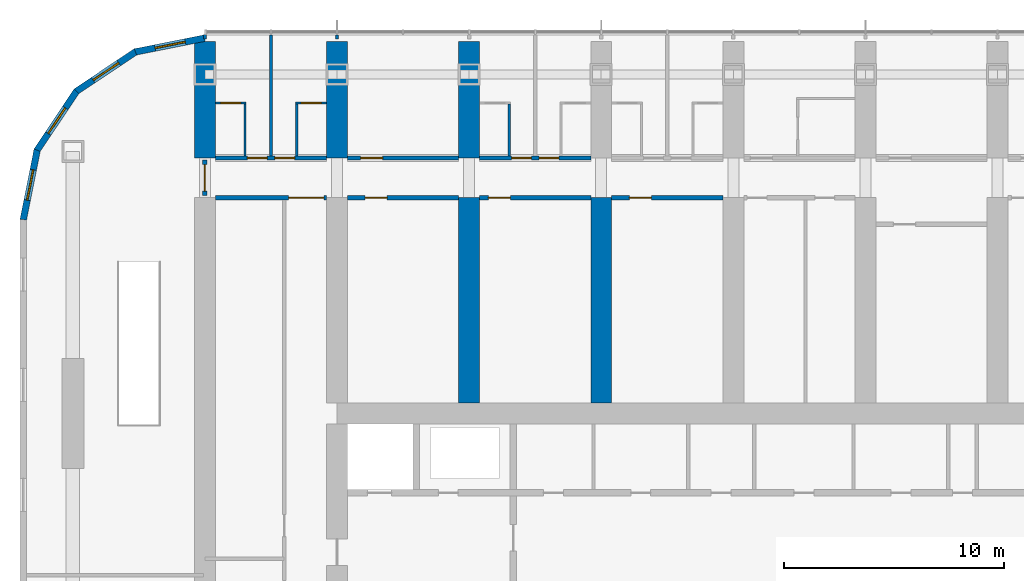
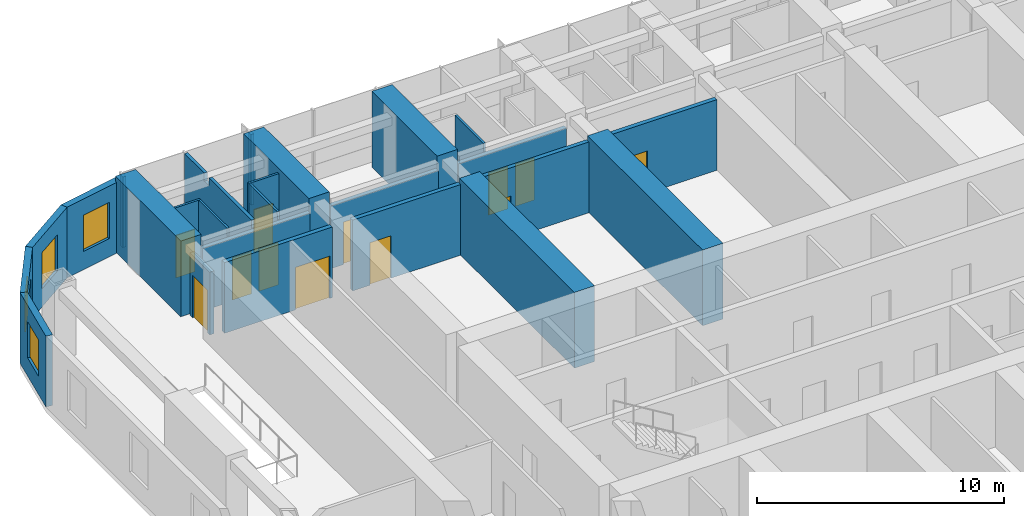
# One storey, part 13 of 21: 25 walls, 12 doors, 4 windows, 16 openings.
"""IFC4 building model written with IfcOpenShell, lengths in metres."""

from ifc_helpers import new_model, si_unit, direction, frame, frame_2d, origin, place, context, subcontext, project, spatial, polyline, rectangle, outline, extrude, material, layer, layer_set, type_object, element, fill, save


model = new_model("IFC4")

# Units and contexts
model_context = context("Model", 3, precision=1e-05, world=origin(), true_north=direction((0.0, 1.0)))
body_context = subcontext(model_context, "Body", "Model", "MODEL_VIEW")
ifc_project = project(units=[si_unit("LENGTHUNIT", "METRE"), si_unit("AREAUNIT", "SQUARE_METRE"), si_unit("VOLUMEUNIT", "CUBIC_METRE"), si_unit("PLANEANGLEUNIT", "RADIAN"), si_unit("MASSUNIT", "GRAM", prefix="KILO")], contexts=[model_context])

# Site, building, storey
site_placement = place(None, origin())
site = spatial("IfcSite", under=ifc_project, at=site_placement, CompositionType="ELEMENT")
building_placement = place(site_placement, origin())
building = spatial("IfcBuilding", under=site, at=building_placement, Name="Orbita Commons", CompositionType="ELEMENT")
storey_placement = place(building_placement, frame((0.0, 0.0, 88.14990234375)))
storey = spatial("IfcBuildingStorey", under=building, at=storey_placement, Name="L21", CompositionType="ELEMENT", Elevation=88.14990234375)

# Wall, openings, doors
ifc_material_1 = material(Name="Concrete blockwork", Category="masonry")
ifc_layer_1 = layer(ifc_material_1, 0.199951171875)
ifc_layer_set_1 = layer_set([ifc_layer_1], Name="Concrete blockwork")
wall_type_1 = type_object("IfcWallType", Name="Corridor wall 200 blockwork", PredefinedType="SOLIDWALL", material=ifc_layer_set_1)
wall_1_placement = place(storey_placement, frame((12.47509765625, 49.800048828125, 0.0), z_axis=(0.0, 0.0, 1.0), x_axis=(1.0, 0.0, 0.0)))
wall_1 = element("IfcWall", 1, at=wall_1_placement, inside=storey, type_object=wall_type_1, Name="Corridor wall 200 blockwork L21", PredefinedType="SOLIDWALL", context=body_context, shape_type="SweptSolid", body=[
    extrude(outline(polyline([(0.0, 0.0), (5.0498046875, 0.0), (5.050048828125, 3.10009765625), (0.0, 3.10009765625), (0.0, 0.0)])), frame((0.0, 0.10009765625, 0.0), z_axis=(0.0, -1.0, 0.0), x_axis=(1.0, 0.0, 0.0)), (0.0, 0.0, 1.0), 0.199951171875),
])
opening_1_placement = place(wall_1_placement, frame((1.449951171875, 0.0, 0.0)))
opening_1 = element("IfcOpeningElement", 2, at=opening_1_placement, cuts=wall_1, Name="Opening D11", PredefinedType="OPENING", context=body_context, shape_type="SweptSolid", body=[
    extrude(rectangle(XDim=0.89990234375, YDim=2.10009765625, at=frame_2d((0.449951171875, 1.050048828125))), frame((0.0, 0.10986328125, 0.0), z_axis=(0.0, -1.0, 0.0), x_axis=(1.0, 0.0, 0.0)), (0.0, 0.0, 1.0), 0.219970703125),
])
opening_2_placement = place(wall_1_placement, frame((2.699951171875, 0.0, 0.0)))
opening_2 = element("IfcOpeningElement", 3, at=opening_2_placement, cuts=wall_1, Name="Opening D11", PredefinedType="OPENING", context=body_context, shape_type="SweptSolid", body=[
    extrude(rectangle(XDim=0.89990234375, YDim=2.10009765625, at=frame_2d((0.449951171875, 1.050048828125))), frame((0.0, 0.10986328125, 0.0), z_axis=(0.0, -1.0, 0.0), x_axis=(1.0, 0.0, 0.0)), (0.0, 0.0, 1.0), 0.219970703125),
])
ifc_material_2 = material(Name="Steel-faced fire door leaf", Category="steel")
door_type_1 = type_object("IfcDoorType", Name="Corridor door 20 min 900x2100", OperationType="SINGLE_SWING_LEFT", PredefinedType="DOOR", material=ifc_material_2)
door_1_placement = place(opening_1_placement, origin())
door_1 = element("IfcDoor", 4, at=door_1_placement, inside=storey, type_object=door_type_1, Name="Cluster bedroom L21-N00 door", OperationType="SINGLE_SWING_LEFT", OverallHeight=2.10009765625, OverallWidth=0.89990234375, PredefinedType="DOOR", context=body_context, shape_type="SweptSolid", body=[
    extrude(rectangle(XDim=0.89990234375, YDim=2.10009765625, at=frame_2d((0.449951171875, 1.050048828125))), frame((0.0, 0.02490234375, 0.0), z_axis=(0.0, -1.0, 0.0), x_axis=(1.0, 0.0, 0.0)), (0.0, 0.0, 1.0), 0.050048828125),
])
fill(opening_1, door_1)
door_2_placement = place(opening_2_placement, origin())
door_2 = element("IfcDoor", 5, at=door_2_placement, inside=storey, type_object=door_type_1, Name="Cluster bedroom L21-N01 door", OperationType="SINGLE_SWING_LEFT", OverallHeight=2.10009765625, OverallWidth=0.89990234375, PredefinedType="DOOR", context=body_context, shape_type="SweptSolid", body=[
    extrude(rectangle(XDim=0.89990234375, YDim=2.10009765625, at=frame_2d((0.449951171875, 1.050048828125))), frame((0.0, 0.02490234375, 0.0), z_axis=(0.0, -1.0, 0.0), x_axis=(1.0, 0.0, 0.0)), (0.0, 0.0, 1.0), 0.050048828125),
])
fill(opening_2, door_2)

# Wall, opening, door
wall_2_placement = place(storey_placement, frame((18.47509765625, 49.800048828125, 0.0), z_axis=(0.0, 0.0, 1.0), x_axis=(1.0, 0.0, 0.0)))
wall_2 = element("IfcWall", 6, at=wall_2_placement, inside=storey, type_object=wall_type_1, Name="Corridor wall 200 blockwork L21", PredefinedType="SOLIDWALL", context=body_context, shape_type="SweptSolid", body=[
    extrude(outline(polyline([(0.0, 0.0), (5.0498046875, 0.0), (5.050048828125, 3.10009765625), (0.0, 3.10009765625), (0.0, 0.0)])), frame((0.0, 0.10009765625, 0.0), z_axis=(0.0, -1.0, 0.0), x_axis=(1.0, 0.0, 0.0)), (0.0, 0.0, 1.0), 0.199951171875),
])
opening_3_placement = place(wall_2_placement, frame((0.60009765625, 0.0, 0.0)))
opening_3 = element("IfcOpeningElement", 7, at=opening_3_placement, cuts=wall_2, Name="Opening D06", PredefinedType="OPENING", context=body_context, shape_type="SweptSolid", body=[
    extrude(rectangle(XDim=1.0, YDim=2.10009765625, at=frame_2d((0.5, 1.050048828125))), frame((0.0, 0.10986328125, 0.0), z_axis=(0.0, -1.0, 0.0), x_axis=(1.0, 0.0, 0.0)), (0.0, 0.0, 1.0), 0.219970703125),
])
ifc_material_3 = material(Name="Steel-faced fire door leaf", Category="steel")
door_type_2 = type_object("IfcDoorType", Name="Corridor door 20 min 1000x2100", OperationType="SINGLE_SWING_LEFT", PredefinedType="DOOR", material=ifc_material_3)
door_3_placement = place(opening_3_placement, origin())
door_3 = element("IfcDoor", 8, at=door_3_placement, inside=storey, type_object=door_type_2, Name="Sea-view lounge L21-N02 door", OperationType="SINGLE_SWING_LEFT", OverallHeight=2.10009765625, OverallWidth=1.0, PredefinedType="DOOR", context=body_context, shape_type="SweptSolid", body=[
    extrude(rectangle(XDim=1.0, YDim=2.10009765625, at=frame_2d((0.5, 1.050048828125))), frame((0.0, 0.02490234375, 0.0), z_axis=(0.0, -1.0, 0.0), x_axis=(1.0, 0.0, 0.0)), (0.0, 0.0, 1.0), 0.050048828125),
])
fill(opening_3, door_3)

# Wall, openings, doors
wall_3_placement = place(storey_placement, frame((24.47509765625, 49.800048828125, 0.0), z_axis=(0.0, 0.0, 1.0), x_axis=(1.0, 0.0, 0.0)))
wall_3 = element("IfcWall", 9, at=wall_3_placement, inside=storey, type_object=wall_type_1, Name="Corridor wall 200 blockwork L21", PredefinedType="SOLIDWALL", context=body_context, shape_type="SweptSolid", body=[
    extrude(outline(polyline([(0.0, 0.0), (5.0498046875, 0.0), (5.050048828125, 3.10009765625), (0.0, 3.10009765625), (0.0, 0.0)])), frame((0.0, 0.10009765625, 0.0), z_axis=(0.0, -1.0, 0.0), x_axis=(1.0, 0.0, 0.0)), (0.0, 0.0, 1.0), 0.199951171875),
])
opening_4_placement = place(wall_3_placement, frame((1.449951171875, 0.0, 0.0)))
opening_4 = element("IfcOpeningElement", 10, at=opening_4_placement, cuts=wall_3, Name="Opening D11", PredefinedType="OPENING", context=body_context, shape_type="SweptSolid", body=[
    extrude(rectangle(XDim=0.89990234375, YDim=2.10009765625, at=frame_2d((0.449951171875, 1.050048828125))), frame((0.0, 0.10986328125, 0.0), z_axis=(0.0, -1.0, 0.0), x_axis=(1.0, 0.0, 0.0)), (0.0, 0.0, 1.0), 0.219970703125),
])
opening_5_placement = place(wall_3_placement, frame((2.699951171875, 0.0, 0.0)))
opening_5 = element("IfcOpeningElement", 11, at=opening_5_placement, cuts=wall_3, Name="Opening D11", PredefinedType="OPENING", context=body_context, shape_type="SweptSolid", body=[
    extrude(rectangle(XDim=0.89990234375, YDim=2.10009765625, at=frame_2d((0.449951171875, 1.050048828125))), frame((0.0, 0.10986328125, 0.0), z_axis=(0.0, -1.0, 0.0), x_axis=(1.0, 0.0, 0.0)), (0.0, 0.0, 1.0), 0.219970703125),
])
door_4_placement = place(opening_4_placement, origin())
door_4 = element("IfcDoor", 12, at=door_4_placement, inside=storey, type_object=door_type_1, Name="Cluster bedroom L21-N04 door", OperationType="SINGLE_SWING_LEFT", OverallHeight=2.10009765625, OverallWidth=0.89990234375, PredefinedType="DOOR", context=body_context, shape_type="SweptSolid", body=[
    extrude(rectangle(XDim=0.89990234375, YDim=2.10009765625, at=frame_2d((0.449951171875, 1.050048828125))), frame((0.0, 0.02490234375, 0.0), z_axis=(0.0, -1.0, 0.0), x_axis=(1.0, 0.0, 0.0)), (0.0, 0.0, 1.0), 0.050048828125),
])
fill(opening_4, door_4)
door_5_placement = place(opening_5_placement, origin())
door_5 = element("IfcDoor", 13, at=door_5_placement, inside=storey, type_object=door_type_1, Name="Cluster bedroom L21-N05 door", OperationType="SINGLE_SWING_LEFT", OverallHeight=2.10009765625, OverallWidth=0.89990234375, PredefinedType="DOOR", context=body_context, shape_type="SweptSolid", body=[
    extrude(rectangle(XDim=0.89990234375, YDim=2.10009765625, at=frame_2d((0.449951171875, 1.050048828125))), frame((0.0, 0.02490234375, 0.0), z_axis=(0.0, -1.0, 0.0), x_axis=(1.0, 0.0, 0.0)), (0.0, 0.0, 1.0), 0.050048828125),
])
fill(opening_5, door_5)

# Wall, opening, door
wall_4_placement = place(storey_placement, frame((12.0, 48.10009765625, 0.0), z_axis=(0.0, 0.0, 1.0), x_axis=(0.0, 1.0, 0.0)))
wall_4 = element("IfcWall", 14, at=wall_4_placement, inside=storey, type_object=wall_type_1, Name="Corridor wall 200 blockwork L21", PredefinedType="SOLIDWALL", context=body_context, shape_type="SweptSolid", body=[
    extrude(outline(polyline([(0.0, 0.0), (1.599853515625, 0.0), (1.60009765625, 3.10009765625), (0.0, 3.10009765625), (0.0, 0.0)])), frame((0.0, 0.10009765625, 0.0), z_axis=(0.0, -1.0, 0.0), x_axis=(1.0, 0.0, 0.0)), (0.0, 0.0, 1.0), 0.199951171875),
])
opening_6_placement = place(wall_4_placement, frame((0.199951171875, 0.0, 0.0)))
opening_6 = element("IfcOpeningElement", 15, at=opening_6_placement, cuts=wall_4, Name="Opening D12", PredefinedType="OPENING", context=body_context, shape_type="SweptSolid", body=[
    extrude(rectangle(XDim=1.199951171875, YDim=2.10009765625, at=frame_2d((0.60009765625, 1.050048828125))), frame((0.0, 0.10986328125, 0.0), z_axis=(0.0, -1.0, 0.0), x_axis=(1.0, 0.0, 0.0)), (0.0, 0.0, 1.0), 0.219970703125),
])
ifc_material_4 = material(Name="Steel-faced fire door leaf", Category="steel")
door_type_3 = type_object("IfcDoorType", Name="Double corridor door 20 min 1200x2100", OperationType="DOUBLE_DOOR_SINGLE_SWING", PredefinedType="DOOR", material=ifc_material_4)
door_6_placement = place(opening_6_placement, origin())
door_6 = element("IfcDoor", 16, at=door_6_placement, inside=storey, type_object=door_type_3, Name="Lounge doors", OperationType="DOUBLE_DOOR_SINGLE_SWING", OverallHeight=2.10009765625, OverallWidth=1.199951171875, PredefinedType="DOOR", context=body_context, shape_type="SweptSolid", body=[
    extrude(rectangle(XDim=1.199951171875, YDim=2.10009765625, at=frame_2d((0.60009765625, 1.050048828125))), frame((0.0, 0.02490234375, 0.0), z_axis=(0.0, -1.0, 0.0), x_axis=(1.0, 0.0, 0.0)), (0.0, 0.0, 1.0), 0.050048828125),
])
fill(opening_6, door_6)

ifc_material_5 = material(Name="Hollow concrete block 200", Category="concrete")
ifc_layer_2 = layer(ifc_material_5, 0.199951171875)
ifc_layer_set_2 = layer_set([ifc_layer_2], Name="Hollow concrete block 200")
wall_type_2 = type_object("IfcWallType", Name="Corridor wall 200 hollow concrete block", PredefinedType="SOLIDWALL", material=ifc_layer_set_2)
wall_5_placement = place(storey_placement, frame((12.47509765625, 48.0, 0.0), z_axis=(0.0, 0.0, 1.0), x_axis=(1.0, 0.0, 0.0)))
wall_5 = element("IfcWall", 17, at=wall_5_placement, inside=storey, type_object=wall_type_2, Name="Corridor wall 200 hollow concrete block L21", PredefinedType="SOLIDWALL", context=body_context, shape_type="SweptSolid", body=[
    extrude(rectangle(XDim=5.0498046875, YDim=0.199951171875, at=frame_2d((2.52490234375, 0.0))), origin(), (0.0, 0.0, 1.0), 3.5),
])
opening_7_placement = place(wall_5_placement, frame((3.324951171875, 0.0, 0.0)))
opening_7 = element("IfcOpeningElement", 18, at=opening_7_placement, cuts=wall_5, Name="Opening D10", PredefinedType="OPENING", context=body_context, shape_type="SweptSolid", body=[
    extrude(rectangle(XDim=1.60009765625, YDim=2.10009765625, at=frame_2d((0.800048828125, 1.050048828125))), frame((0.0, 0.10986328125, 0.0), z_axis=(0.0, -1.0, 0.0), x_axis=(1.0, 0.0, 0.0)), (0.0, 0.0, 1.0), 0.219970703125),
])
ifc_material_6 = material(Name="Steel-faced fire door leaf", Category="steel")
door_type_4 = type_object("IfcDoorType", Name="Double corridor door 20 min 1600x2100", OperationType="DOUBLE_DOOR_SINGLE_SWING", PredefinedType="DOOR", material=ifc_material_6)
door_7_placement = place(opening_7_placement, origin())
door_7 = element("IfcDoor", 19, at=door_7_placement, inside=storey, type_object=door_type_4, Name="Cross corridor doors", OperationType="DOUBLE_DOOR_SINGLE_SWING", OverallHeight=2.10009765625, OverallWidth=1.60009765625, PredefinedType="DOOR", context=body_context, shape_type="SweptSolid", body=[
    extrude(rectangle(XDim=1.60009765625, YDim=2.10009765625, at=frame_2d((0.800048828125, 1.050048828125))), frame((0.0, 0.02490234375, 0.0), z_axis=(0.0, -1.0, 0.0), x_axis=(1.0, 0.0, 0.0)), (0.0, 0.0, 1.0), 0.050048828125),
])
fill(opening_7, door_7)

wall_6_placement = place(storey_placement, frame((18.47509765625, 48.0, 0.0), z_axis=(0.0, 0.0, 1.0), x_axis=(1.0, 0.0, 0.0)))
wall_6 = element("IfcWall", 20, at=wall_6_placement, inside=storey, type_object=wall_type_2, Name="Corridor wall 200 hollow concrete block L21", PredefinedType="SOLIDWALL", context=body_context, shape_type="SweptSolid", body=[
    extrude(rectangle(XDim=5.0498046875, YDim=0.199951171875, at=frame_2d((2.52490234375, 0.0))), origin(), (0.0, 0.0, 1.0), 3.5),
])
opening_8_placement = place(wall_6_placement, frame((0.800048828125, 0.0, 0.0)))
opening_8 = element("IfcOpeningElement", 21, at=opening_8_placement, cuts=wall_6, Name="Opening D06", PredefinedType="OPENING", context=body_context, shape_type="SweptSolid", body=[
    extrude(rectangle(XDim=1.0, YDim=2.10009765625, at=frame_2d((0.5, 1.050048828125))), frame((0.0, 0.10986328125, 0.0), z_axis=(0.0, -1.0, 0.0), x_axis=(1.0, 0.0, 0.0)), (0.0, 0.0, 1.0), 0.219970703125),
])
door_8_placement = place(opening_8_placement, origin())
door_8 = element("IfcDoor", 22, at=door_8_placement, inside=storey, type_object=door_type_2, Name="Cleaners store L21-BDN18 door", OperationType="SINGLE_SWING_LEFT", OverallHeight=2.10009765625, OverallWidth=1.0, PredefinedType="DOOR", context=body_context, shape_type="SweptSolid", body=[
    extrude(rectangle(XDim=1.0, YDim=2.10009765625, at=frame_2d((0.5, 1.050048828125))), frame((0.0, 0.02490234375, 0.0), z_axis=(0.0, -1.0, 0.0), x_axis=(1.0, 0.0, 0.0)), (0.0, 0.0, 1.0), 0.050048828125),
])
fill(opening_8, door_8)

wall_7_placement = place(storey_placement, frame((24.47509765625, 48.0, 0.0), z_axis=(0.0, 0.0, 1.0), x_axis=(1.0, 0.0, 0.0)))
wall_7 = element("IfcWall", 23, at=wall_7_placement, inside=storey, type_object=wall_type_2, Name="Corridor wall 200 hollow concrete block L21", PredefinedType="SOLIDWALL", context=body_context, shape_type="SweptSolid", body=[
    extrude(rectangle(XDim=5.0498046875, YDim=0.199951171875, at=frame_2d((2.52490234375, 0.0))), origin(), (0.0, 0.0, 1.0), 3.5),
])
opening_9_placement = place(wall_7_placement, frame((0.39990234375, 0.0, 0.0)))
opening_9 = element("IfcOpeningElement", 24, at=opening_9_placement, cuts=wall_7, Name="Opening D06", PredefinedType="OPENING", context=body_context, shape_type="SweptSolid", body=[
    extrude(rectangle(XDim=1.0, YDim=2.10009765625, at=frame_2d((0.5, 1.050048828125))), frame((0.0, 0.10986328125, 0.0), z_axis=(0.0, -1.0, 0.0), x_axis=(1.0, 0.0, 0.0)), (0.0, 0.0, 1.0), 0.219970703125),
])
door_9_placement = place(opening_9_placement, origin())
door_9 = element("IfcDoor", 25, at=door_9_placement, inside=storey, type_object=door_type_2, Name="Storage lockers L21-BDN24 door", OperationType="SINGLE_SWING_LEFT", OverallHeight=2.10009765625, OverallWidth=1.0, PredefinedType="DOOR", context=body_context, shape_type="SweptSolid", body=[
    extrude(rectangle(XDim=1.0, YDim=2.10009765625, at=frame_2d((0.5, 1.050048828125))), frame((0.0, 0.02490234375, 0.0), z_axis=(0.0, -1.0, 0.0), x_axis=(1.0, 0.0, 0.0)), (0.0, 0.0, 1.0), 0.050048828125),
])
fill(opening_9, door_9)

wall_8_placement = place(storey_placement, frame((30.47509765625, 48.0, 0.0), z_axis=(0.0, 0.0, 1.0), x_axis=(1.0, 0.0, 0.0)))
wall_8 = element("IfcWall", 26, at=wall_8_placement, inside=storey, type_object=wall_type_2, Name="Corridor wall 200 hollow concrete block L21", PredefinedType="SOLIDWALL", context=body_context, shape_type="SweptSolid", body=[
    extrude(rectangle(XDim=5.0498046875, YDim=0.199951171875, at=frame_2d((2.52490234375, 0.0))), origin(), (0.0, 0.0, 1.0), 3.5),
])
opening_10_placement = place(wall_8_placement, frame((0.800048828125, 0.0, 0.0)))
opening_10 = element("IfcOpeningElement", 27, at=opening_10_placement, cuts=wall_8, Name="Opening D06", PredefinedType="OPENING", context=body_context, shape_type="SweptSolid", body=[
    extrude(rectangle(XDim=1.0, YDim=2.10009765625, at=frame_2d((0.5, 1.050048828125))), frame((0.0, 0.10986328125, 0.0), z_axis=(0.0, -1.0, 0.0), x_axis=(1.0, 0.0, 0.0)), (0.0, 0.0, 1.0), 0.219970703125),
])
door_10_placement = place(opening_10_placement, origin())
door_10 = element("IfcDoor", 28, at=door_10_placement, inside=storey, type_object=door_type_2, Name="Ventilation plant room south L21-BDN30 door", OperationType="SINGLE_SWING_LEFT", OverallHeight=2.10009765625, OverallWidth=1.0, PredefinedType="DOOR", context=body_context, shape_type="SweptSolid", body=[
    extrude(rectangle(XDim=1.0, YDim=2.10009765625, at=frame_2d((0.5, 1.050048828125))), frame((0.0, 0.02490234375, 0.0), z_axis=(0.0, -1.0, 0.0), x_axis=(1.0, 0.0, 0.0)), (0.0, 0.0, 1.0), 0.050048828125),
])
fill(opening_10, door_10)

# Walls
ifc_material_7 = material(Name="Concrete C50/60", Category="concrete")
ifc_layer_3 = layer(ifc_material_7, 0.949951171875)
ifc_layer_set_3 = layer_set([ifc_layer_3], Name="Concrete C50/60")
wall_type_3 = type_object("IfcWallType", Name="Cross wall 950 C50/60", PredefinedType="SHEAR", material=ifc_layer_set_3)
for number, where, z_axis, x_axis, name in (
    (29, (12.0, 49.800048828125, 0.0), (0.0, 0.0, 1.0), (0.0, 1.0, 0.0), "Cross wall 3 north outer L21"),
    (30, (18.0, 49.800048828125, 0.0), (0.0, 0.0, 1.0), (0.0, 1.0, 0.0), "Cross wall 4 north outer L21"),
    (31, (24.0, 49.800048828125, 0.0), (0.0, 0.0, 1.0), (0.0, 1.0, 0.0), "Cross wall 5 north outer L21"),
):
    element("IfcWall", number, at=place(storey_placement, frame(where, z_axis=z_axis, x_axis=x_axis)), inside=storey, type_object=wall_type_3, Name=name, PredefinedType="SHEAR", context=body_context, shape_type="SweptSolid", body=[
        extrude(rectangle(XDim=5.300048828125, YDim=0.949951171875, at=frame_2d((2.64990234375, 0.0))), origin(), (0.0, 0.0, 1.0), 3.75),
    ])
for number, where, z_axis, x_axis, name in (
    (32, (24.0, 38.675048828125, 0.0), (0.0, 0.0, 1.0), (0.0, 1.0, 0.0), "Cross wall 5 north inner L21"),
    (33, (30.0, 38.675048828125, 0.0), (0.0, 0.0, 1.0), (0.0, 1.0, 0.0), "Cross wall 6 north inner L21"),
):
    element("IfcWall", number, at=place(storey_placement, frame(where, z_axis=z_axis, x_axis=x_axis)), inside=storey, type_object=wall_type_3, Name=name, PredefinedType="SHEAR", context=body_context, shape_type="SweptSolid", body=[
        extrude(rectangle(XDim=9.324951171875, YDim=0.949951171875, at=frame_2d((4.66259765625, 0.0))), origin(), (0.0, 0.0, 1.0), 3.75),
    ])

# Wall, opening, door
ifc_material_8 = material(Name="Moisture-resistant plasterboard on steel studs", Category="steel")
ifc_layer_4 = layer(ifc_material_8, 0.10009765625)
ifc_layer_set_4 = layer_set([ifc_layer_4], Name="Moisture-resistant plasterboard on steel studs")
wall_type_4 = type_object("IfcWallType", Name="En-suite partition 100", PredefinedType="PARTITIONING", material=ifc_layer_set_4)
wall_9_placement = place(storey_placement, frame((12.47509765625, 52.300048828125, 0.0), z_axis=(0.0, 0.0, 1.0), x_axis=(1.0, 0.0, 0.0)))
wall_9 = element("IfcWall", 34, at=wall_9_placement, inside=storey, type_object=wall_type_4, Name="En-suite partition 100 L21", PredefinedType="PARTITIONING", context=body_context, shape_type="SweptSolid", body=[
    extrude(rectangle(XDim=1.39990234375, YDim=0.10009765625, at=frame_2d((0.699951171875, 0.0))), origin(), (0.0, 0.0, 1.0), 3.5),
])
opening_11_placement = place(wall_9_placement, frame((0.25, 0.0, 0.0)))
opening_11 = element("IfcOpeningElement", 35, at=opening_11_placement, cuts=wall_9, Name="Opening D09", PredefinedType="OPENING", context=body_context, shape_type="SweptSolid", body=[
    extrude(rectangle(XDim=0.89990234375, YDim=2.10009765625, at=frame_2d((0.449951171875, 1.050048828125))), frame((0.0, 0.06005859375, 0.0), z_axis=(0.0, -1.0, 0.0), x_axis=(1.0, 0.0, 0.0)), (0.0, 0.0, 1.0), 0.1201171875),
])
ifc_material_9 = material(Name="Laminated timber door leaf", Category="wood")
door_type_5 = type_object("IfcDoorType", Name="En-suite door 900x2100", OperationType="SINGLE_SWING_RIGHT", PredefinedType="DOOR", material=ifc_material_9)
door_11_placement = place(opening_11_placement, origin())
door_11 = element("IfcDoor", 36, at=door_11_placement, inside=storey, type_object=door_type_5, Name="En-suite L21-N00 door", OperationType="SINGLE_SWING_RIGHT", OverallHeight=2.10009765625, OverallWidth=0.89990234375, PredefinedType="DOOR", context=body_context, shape_type="SweptSolid", body=[
    extrude(rectangle(XDim=0.89990234375, YDim=2.10009765625, at=frame_2d((0.449951171875, 1.050048828125))), frame((0.0, 0.02490234375, 0.0), z_axis=(0.0, -1.0, 0.0), x_axis=(1.0, 0.0, 0.0)), (0.0, 0.0, 1.0), 0.050048828125),
])
fill(opening_11, door_11)

# Wall
wall_10_placement = place(storey_placement, frame((13.824951171875, 52.25, 0.0), z_axis=(0.0, 0.0, 1.0), x_axis=(0.0, -1.0, 0.0)))
element("IfcWall", 37, at=wall_10_placement, inside=storey, type_object=wall_type_4, Name="En-suite partition 100 L21", PredefinedType="PARTITIONING", context=body_context, shape_type="SweptSolid", body=[
    extrude(outline(polyline([(0.0, 0.0), (2.35009765625, 0.0), (2.35009765625, 3.10009765625), (2.302001953125, 3.10009765625), (2.300048828125, 3.5), (0.0, 3.5), (0.0, 0.0)])), frame((0.0, 0.050048828125, 0.0), z_axis=(0.0, -1.0, 0.0), x_axis=(1.0, 0.0, 0.0)), (0.0, 0.0, 1.0), 0.10009765625),
])

# Wall, opening, door
wall_11_placement = place(storey_placement, frame((16.125, 52.300048828125, 0.0), z_axis=(0.0, 0.0, 1.0), x_axis=(1.0, 0.0, 0.0)))
wall_11 = element("IfcWall", 38, at=wall_11_placement, inside=storey, type_object=wall_type_4, Name="En-suite partition 100 L21", PredefinedType="PARTITIONING", context=body_context, shape_type="SweptSolid", body=[
    extrude(rectangle(XDim=1.39990234375, YDim=0.10009765625, at=frame_2d((0.699951171875, 0.0))), origin(), (0.0, 0.0, 1.0), 3.5),
])
opening_12_placement = place(wall_11_placement, frame((0.25, 0.0, 0.0)))
opening_12 = element("IfcOpeningElement", 39, at=opening_12_placement, cuts=wall_11, Name="Opening D09", PredefinedType="OPENING", context=body_context, shape_type="SweptSolid", body=[
    extrude(rectangle(XDim=0.89990234375, YDim=2.10009765625, at=frame_2d((0.449951171875, 1.050048828125))), frame((0.0, 0.06005859375, 0.0), z_axis=(0.0, -1.0, 0.0), x_axis=(1.0, 0.0, 0.0)), (0.0, 0.0, 1.0), 0.1201171875),
])
door_12_placement = place(opening_12_placement, origin())
door_12 = element("IfcDoor", 40, at=door_12_placement, inside=storey, type_object=door_type_5, Name="En-suite L21-N01 door", OperationType="SINGLE_SWING_RIGHT", OverallHeight=2.10009765625, OverallWidth=0.89990234375, PredefinedType="DOOR", context=body_context, shape_type="SweptSolid", body=[
    extrude(rectangle(XDim=0.89990234375, YDim=2.10009765625, at=frame_2d((0.449951171875, 1.050048828125))), frame((0.0, 0.02490234375, 0.0), z_axis=(0.0, -1.0, 0.0), x_axis=(1.0, 0.0, 0.0)), (0.0, 0.0, 1.0), 0.050048828125),
])
fill(opening_12, door_12)

# Walls
for number, where, z_axis, x_axis, name in (
    (41, (16.175048828125, 52.25, 0.0), (0.0, 0.0, 1.0), (0.0, -1.0, 0.0), "En-suite partition 100 L21"),
    (42, (25.824951171875, 52.25, 0.0), (0.0, 0.0, 1.0), (0.0, -1.0, 0.0), "En-suite partition 100 L21"),
):
    element("IfcWall", number, at=place(storey_placement, frame(where, z_axis=z_axis, x_axis=x_axis)), inside=storey, type_object=wall_type_4, Name=name, PredefinedType="PARTITIONING", context=body_context, shape_type="SweptSolid", body=[
        extrude(outline(polyline([(0.0, 0.0), (2.35009765625, 0.0), (2.35009765625, 3.10009765625), (2.302001953125, 3.10009765625), (2.300048828125, 3.5), (0.0, 3.5), (0.0, 0.0)])), frame((0.0, 0.050048828125, 0.0), z_axis=(0.0, -1.0, 0.0), x_axis=(1.0, 0.0, 0.0)), (0.0, 0.0, 1.0), 0.10009765625),
    ])
ifc_material_10 = material(Name="Gypsum plasterboard on steel studs", Category="steel")
ifc_layer_5 = layer(ifc_material_10, 0.14990234375)
ifc_layer_set_5 = layer_set([ifc_layer_5], Name="Gypsum plasterboard on steel studs")
wall_type_5 = type_object("IfcWallType", Name="Partition 150 plasterboard", PredefinedType="PARTITIONING", material=ifc_layer_set_5)
wall_12_placement = place(storey_placement, frame((12.0, 55.199951171875, 0.0), z_axis=(0.0, 0.0, 1.0), x_axis=(0.0, 1.0, 0.0)))
element("IfcWall", 43, at=wall_12_placement, inside=storey, type_object=wall_type_5, Name="Partition 150 plasterboard L21", PredefinedType="PARTITIONING", context=body_context, shape_type="SweptSolid", body=[
    extrude(rectangle(XDim=0.219970703125, YDim=0.14990234375, at=frame_2d((0.10986328125, 0.0))), origin(), (0.0, 0.0, 1.0), 3.5),
])
wall_13_placement = place(storey_placement, frame((18.0, 55.199951171875, 0.0), z_axis=(0.0, 0.0, 1.0), x_axis=(0.0, 1.0, 0.0)))
element("IfcWall", 44, at=wall_13_placement, inside=storey, type_object=wall_type_5, Name="Partition 150 plasterboard L21", PredefinedType="PARTITIONING", context=body_context, shape_type="SweptSolid", body=[
    extrude(rectangle(XDim=0.18994140625, YDim=0.14990234375, at=frame_2d((0.094970703125, 0.0))), origin(), (0.0, 0.0, 1.0), 3.5),
])
ifc_material_11 = material(Name="Gypsum plasterboard on steel studs", Category="steel")
ifc_layer_6 = layer(ifc_material_11, 0.14990234375)
ifc_layer_set_6 = layer_set([ifc_layer_6], Name="Gypsum plasterboard on steel studs")
wall_type_6 = type_object("IfcWallType", Name="Party wall 150 plasterboard", PredefinedType="PARTITIONING", material=ifc_layer_set_6)
wall_14_placement = place(storey_placement, frame((15.0, 55.389892578125, 0.0), z_axis=(0.0, 0.0, 1.0), x_axis=(0.0, -1.0, 0.0)))
element("IfcWall", 45, at=wall_14_placement, inside=storey, type_object=wall_type_6, Name="Party wall 150 plasterboard L21", PredefinedType="PARTITIONING", context=body_context, shape_type="SweptSolid", body=[
    extrude(outline(polyline([(0.0, 0.0), (5.489990234375, 0.0), (5.489990234375, 3.10009765625), (5.44189453125, 3.10009765625), (5.43994140625, 3.5), (1.991943359375, 3.5), (1.989990234375, 3.10009765625), (1.592041015625, 3.10009765625), (1.590087890625, 3.5), (0.0, 3.5), (0.0, 0.0)])), frame((0.0, 0.074951171875, 0.0), z_axis=(0.0, -1.0, 0.0), x_axis=(1.0, 0.0, 0.0)), (0.0, 0.0, 1.0), 0.14990234375),
])

# Wall, opening, window
ifc_material_12 = material(Name="Precast concrete C40/50, white board-marked finish", Category="concrete")
ifc_layer_7 = layer(ifc_material_12, 0.300048828125)
ifc_layer_set_7 = layer_set([ifc_layer_7], Name="Precast concrete C40/50, white board-marked finish")
wall_type_7 = type_object("IfcWallType", Name="Precast concrete end shield 300", PredefinedType="SOLIDWALL", material=ifc_layer_set_7)
wall_15_placement = place(storey_placement, frame((12.0, 55.25, 0.0), z_axis=(0.0, 0.0, 1.0), x_axis=(-0.980787251524, -0.195080412259, 0.0)))
wall_15 = element("IfcWall", 46, at=wall_15_placement, inside=storey, type_object=wall_type_7, Name="End shield NW chord 1 L21", PredefinedType="SOLIDWALL", context=body_context, shape_type="SweptSolid", body=[
    extrude(outline(polyline([(-0.02978515625, -0.14990234375), (3.24853515625, -0.14990234375), (3.18896484375, 0.14990234375), (0.02978515625, 0.14990234375), (-0.02978515625, -0.14990234375)])), origin(), (0.0, 0.0, 1.0), 3.5),
])
opening_13_placement = place(wall_15_placement, frame((0.909423828125, 0.0, 0.89990234375)))
opening_13 = element("IfcOpeningElement", 47, at=opening_13_placement, cuts=wall_15, Name="Opening W02", PredefinedType="OPENING", context=body_context, shape_type="SweptSolid", body=[
    extrude(rectangle(XDim=1.39990234375, YDim=1.800048828125, at=frame_2d((0.699951171875, 0.89990234375))), frame((0.0, 0.159912109375, 0.0), z_axis=(0.0, -1.0, 0.0), x_axis=(1.0, 0.0, 0.0)), (0.0, 0.0, 1.0), 0.320068359375),
])
ifc_material_13 = material(Name="Aluminium frame, clear double glazing", Category="aluminium")
window_type = type_object("IfcWindowType", Name="Deep-set window 1400x1800", PartitioningType="SINGLE_PANEL", PredefinedType="WINDOW", material=ifc_material_13)
window_1_placement = place(opening_13_placement, origin())
window_1 = element("IfcWindow", 48, at=window_1_placement, inside=storey, type_object=window_type, Name="Window L21-NW0", OverallHeight=1.800048828125, OverallWidth=1.39990234375, PartitioningType="SINGLE_PANEL", PredefinedType="WINDOW", context=body_context, shape_type="SweptSolid", body=[
    extrude(rectangle(XDim=1.39990234375, YDim=1.800048828125, at=frame_2d((0.699951171875, 0.89990234375))), frame((0.0, 0.030029296875, 0.0), z_axis=(0.0, -1.0, 0.0), x_axis=(1.0, 0.0, 0.0)), (0.0, 0.0, 1.0), 0.06005859375),
])
fill(opening_13, window_1)

wall_16_placement = place(storey_placement, frame((8.843017578125, 54.6220703125, 0.0), z_axis=(0.0, 0.0, 1.0), x_axis=(-0.831443069936, -0.555609954424, 0.0)))
wall_16 = element("IfcWall", 49, at=wall_16_placement, inside=storey, type_object=wall_type_7, Name="End shield NW chord 2 L21", PredefinedType="SOLIDWALL", context=body_context, shape_type="SweptSolid", body=[
    extrude(outline(polyline([(-0.02978515625, -0.14990234375), (3.2490234375, -0.14990234375), (3.189453125, 0.14990234375), (0.02978515625, 0.14990234375), (-0.02978515625, -0.14990234375)])), origin(), (0.0, 0.0, 1.0), 3.5),
])
opening_14_placement = place(wall_16_placement, frame((0.909423828125, 0.0, 0.89990234375)))
opening_14 = element("IfcOpeningElement", 50, at=opening_14_placement, cuts=wall_16, Name="Opening W02", PredefinedType="OPENING", context=body_context, shape_type="SweptSolid", body=[
    extrude(rectangle(XDim=1.39990234375, YDim=1.800048828125, at=frame_2d((0.699951171875, 0.89990234375))), frame((0.0, 0.159912109375, 0.0), z_axis=(0.0, -1.0, 0.0), x_axis=(1.0, 0.0, 0.0)), (0.0, 0.0, 1.0), 0.320068359375),
])
window_2_placement = place(opening_14_placement, origin())
window_2 = element("IfcWindow", 51, at=window_2_placement, inside=storey, type_object=window_type, Name="Window L21-NW1", OverallHeight=1.800048828125, OverallWidth=1.39990234375, PartitioningType="SINGLE_PANEL", PredefinedType="WINDOW", context=body_context, shape_type="SweptSolid", body=[
    extrude(rectangle(XDim=1.39990234375, YDim=1.800048828125, at=frame_2d((0.699951171875, 0.89990234375))), frame((0.0, 0.030029296875, 0.0), z_axis=(0.0, -1.0, 0.0), x_axis=(1.0, 0.0, 0.0)), (0.0, 0.0, 1.0), 0.06005859375),
])
fill(opening_14, window_2)

wall_17_placement = place(storey_placement, frame((6.16650390625, 52.83349609375, 0.0), z_axis=(0.0, 0.0, 1.0), x_axis=(-0.555609954424, -0.831443069936, 0.0)))
wall_17 = element("IfcWall", 52, at=wall_17_placement, inside=storey, type_object=wall_type_7, Name="End shield NW chord 3 L21", PredefinedType="SOLIDWALL", context=body_context, shape_type="SweptSolid", body=[
    extrude(outline(polyline([(-0.02978515625, -0.14990234375), (3.2490234375, -0.14990234375), (3.189453125, 0.14990234375), (0.02978515625, 0.14990234375), (-0.02978515625, -0.14990234375)])), origin(), (0.0, 0.0, 1.0), 3.5),
])
opening_15_placement = place(wall_17_placement, frame((0.909423828125, 0.0, 0.89990234375)))
opening_15 = element("IfcOpeningElement", 53, at=opening_15_placement, cuts=wall_17, Name="Opening W02", PredefinedType="OPENING", context=body_context, shape_type="SweptSolid", body=[
    extrude(rectangle(XDim=1.39990234375, YDim=1.800048828125, at=frame_2d((0.699951171875, 0.89990234375))), frame((0.0, 0.159912109375, 0.0), z_axis=(0.0, -1.0, 0.0), x_axis=(1.0, 0.0, 0.0)), (0.0, 0.0, 1.0), 0.320068359375),
])
window_3_placement = place(opening_15_placement, origin())
window_3 = element("IfcWindow", 54, at=window_3_placement, inside=storey, type_object=window_type, Name="Window L21-NW2", OverallHeight=1.800048828125, OverallWidth=1.39990234375, PartitioningType="SINGLE_PANEL", PredefinedType="WINDOW", context=body_context, shape_type="SweptSolid", body=[
    extrude(rectangle(XDim=1.39990234375, YDim=1.800048828125, at=frame_2d((0.699951171875, 0.89990234375))), frame((0.0, 0.030029296875, 0.0), z_axis=(0.0, -1.0, 0.0), x_axis=(1.0, 0.0, 0.0)), (0.0, 0.0, 1.0), 0.06005859375),
])
fill(opening_15, window_3)

wall_18_placement = place(storey_placement, frame((4.3779296875, 50.156982421875, 0.0), z_axis=(0.0, 0.0, 1.0), x_axis=(-0.195080412259, -0.980787251524, 0.0)))
wall_18 = element("IfcWall", 55, at=wall_18_placement, inside=storey, type_object=wall_type_7, Name="End shield NW chord 4 L21", PredefinedType="SOLIDWALL", context=body_context, shape_type="SweptSolid", body=[
    extrude(outline(polyline([(-0.02978515625, -0.14990234375), (3.233642578125, -0.14990234375), (3.203857421875, 0.14990234375), (0.02978515625, 0.14990234375), (-0.02978515625, -0.14990234375)])), origin(), (0.0, 0.0, 1.0), 3.5),
])
opening_16_placement = place(wall_18_placement, frame((0.909423828125, 0.0, 0.89990234375)))
opening_16 = element("IfcOpeningElement", 56, at=opening_16_placement, cuts=wall_18, Name="Opening W02", PredefinedType="OPENING", context=body_context, shape_type="SweptSolid", body=[
    extrude(rectangle(XDim=1.39990234375, YDim=1.800048828125, at=frame_2d((0.699951171875, 0.89990234375))), frame((0.0, 0.159912109375, 0.0), z_axis=(0.0, -1.0, 0.0), x_axis=(1.0, 0.0, 0.0)), (0.0, 0.0, 1.0), 0.320068359375),
])
window_4_placement = place(opening_16_placement, origin())
window_4 = element("IfcWindow", 57, at=window_4_placement, inside=storey, type_object=window_type, Name="Window L21-NW3", OverallHeight=1.800048828125, OverallWidth=1.39990234375, PartitioningType="SINGLE_PANEL", PredefinedType="WINDOW", context=body_context, shape_type="SweptSolid", body=[
    extrude(rectangle(XDim=1.39990234375, YDim=1.800048828125, at=frame_2d((0.699951171875, 0.89990234375))), frame((0.0, 0.030029296875, 0.0), z_axis=(0.0, -1.0, 0.0), x_axis=(1.0, 0.0, 0.0)), (0.0, 0.0, 1.0), 0.06005859375),
])
fill(opening_16, window_4)

save(model, "model.ifc")
